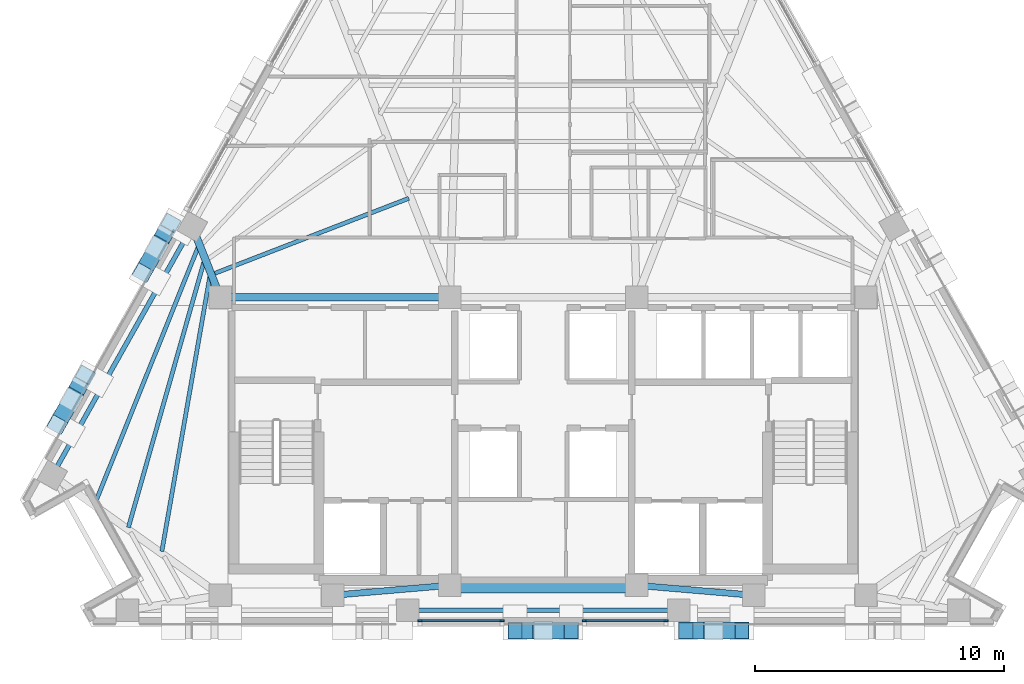
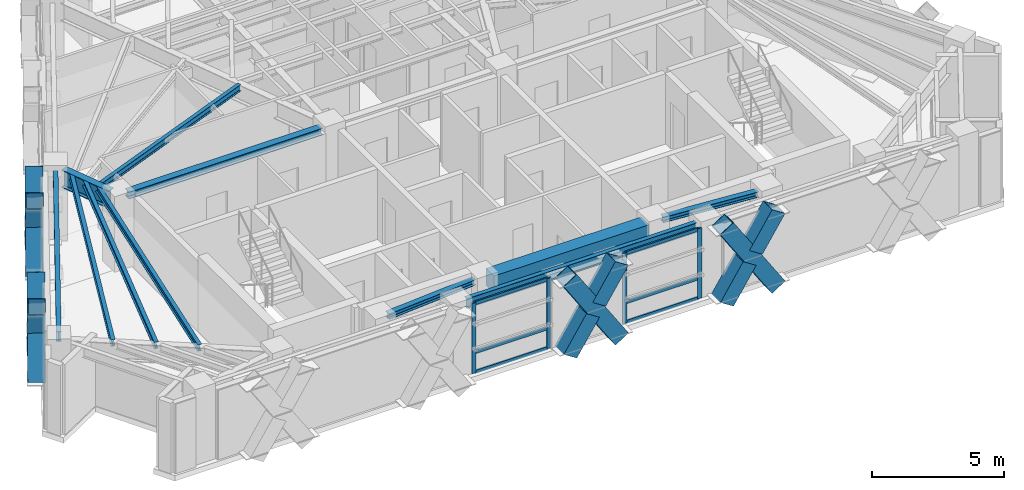
# One storey, part 2 of 15: 22 members, 11 beams, 2 elements without a shape of their own.
"""IFC4 building model written with IfcOpenShell, lengths in metres."""

from ifc_helpers import new_model, si_unit, direction, frame, origin, origin_2d, place, context, subcontext, project, spatial, rectangle, hollow_rectangle, i_section, extrude, material, material_profile, profile_set, type_object, element, aggregate, save


model = new_model("IFC4")

# Units and contexts
model_context = context("Model", 3, precision=1e-05, world=origin(), true_north=direction((0.0, 1.0)))
body_context = subcontext(model_context, "Body", "Model", "MODEL_VIEW")
ifc_project = project(units=[si_unit("LENGTHUNIT", "METRE"), si_unit("AREAUNIT", "SQUARE_METRE"), si_unit("VOLUMEUNIT", "CUBIC_METRE"), si_unit("PLANEANGLEUNIT", "RADIAN"), si_unit("MASSUNIT", "GRAM", prefix="KILO")], contexts=[model_context])

# Site, building, storey
site_placement = place(None, origin())
site = spatial("IfcSite", under=ifc_project, at=site_placement, CompositionType="ELEMENT")
building_placement = place(site_placement, origin())
building = spatial("IfcBuilding", under=site, at=building_placement, Name="Quenlor Broadcast Tower", CompositionType="ELEMENT")
storey_placement = place(building_placement, frame((0.0, 0.0, 183.39990234375)))
storey = spatial("IfcBuildingStorey", under=building, at=storey_placement, Name="L50", CompositionType="ELEMENT", Elevation=183.39990234375)

# Curtain wall, members
ifc_material_1 = material(Name="Architectural Terracotta and Low-E Glazing", Category="masonry")
curtain_wall_type = type_object("IfcCurtainWallType", Name="Unitised Terracotta Curtain Wall System Z4", PredefinedType="NOTDEFINED", material=ifc_material_1)
curtain_wall_1_placement = place(storey_placement, origin())
curtain_wall_1 = element("IfcCurtainWall", 1, at=curtain_wall_1_placement, inside=storey, type_object=curtain_wall_type, Name="L50 Curtain Wall CW4 (L50-S-G1)", PredefinedType="NOTDEFINED")
ifc_material_2 = material(Name="Aluminium 6063-T6", Category="aluminium")
ifc_material_profile_1 = material_profile(ifc_material_2, rectangle(XDim=0.068115234375, YDim=0.179931640625, at=origin_2d()))
ifc_profile_set_1 = profile_set([ifc_material_profile_1], Name="Aluminium 6063-T6 MULL68x180")
member_type_1 = type_object("IfcMemberType", Name="CW4 Aluminium Mullion MULL_CW4", PredefinedType="MULLION", material=ifc_profile_set_1)
member_1_placement = place(storey_placement, frame((4.933837890625, -17.77490234375, 0.0), z_axis=(0.0, 0.0, 1.0), x_axis=(0.0, -1.0, 0.0)))
member_1 = element("IfcMember", 2, at=member_1_placement, type_object=member_type_1, Name="CW4 mullion 1", PredefinedType="MULLION", context=body_context, shape_type="SweptSolid", body=[
    extrude(rectangle(XDim=0.068115234375, YDim=0.179931640625, at=origin_2d()), origin(), (0.0, 0.0, 1.0), 3.25),
])
member_2_placement = place(storey_placement, frame((1.655029296875, -17.77490234375, 0.0), z_axis=(0.0, 0.0, 1.0), x_axis=(0.0, -1.0, 0.0)))
member_2 = element("IfcMember", 3, at=member_2_placement, type_object=member_type_1, Name="CW4 mullion 2", PredefinedType="MULLION", context=body_context, shape_type="SweptSolid", body=[
    extrude(rectangle(XDim=0.068115234375, YDim=0.179931640625, at=origin_2d()), origin(), (0.0, 0.0, 1.0), 3.25),
])

curtain_wall_2_placement = place(storey_placement, origin())
curtain_wall_2 = element("IfcCurtainWall", 4, at=curtain_wall_2_placement, inside=storey, type_object=curtain_wall_type, Name="L50 Curtain Wall CW4 (L50-S-G2)", PredefinedType="NOTDEFINED")
member_3_placement = place(storey_placement, frame((-1.655029296875, -17.77490234375, 0.0), z_axis=(0.0, 0.0, 1.0), x_axis=(0.0, -1.0, 0.0)))
member_3 = element("IfcMember", 5, at=member_3_placement, type_object=member_type_1, Name="CW4 mullion 1", PredefinedType="MULLION", context=body_context, shape_type="SweptSolid", body=[
    extrude(rectangle(XDim=0.068115234375, YDim=0.179931640625, at=origin_2d()), origin(), (0.0, 0.0, 1.0), 3.25),
])
member_4_placement = place(storey_placement, frame((-4.933837890625, -17.77490234375, 0.0), z_axis=(0.0, 0.0, 1.0), x_axis=(0.0, -1.0, 0.0)))
member_4 = element("IfcMember", 6, at=member_4_placement, type_object=member_type_1, Name="CW4 mullion 2", PredefinedType="MULLION", context=body_context, shape_type="SweptSolid", body=[
    extrude(rectangle(XDim=0.068115234375, YDim=0.179931640625, at=origin_2d()), origin(), (0.0, 0.0, 1.0), 3.25),
])

# Member
ifc_material_3 = material(Name="Aluminium 6063-T6", Category="aluminium")
ifc_material_profile_2 = material_profile(ifc_material_3, rectangle(XDim=0.068115234375, YDim=0.14990234375, at=origin_2d()))
ifc_profile_set_2 = profile_set([ifc_material_profile_2], Name="Aluminium 6063-T6 TRAN68x150")
member_type_2 = type_object("IfcMemberType", Name="CW4 Aluminium Transom TRAN_CW4", PredefinedType="USERDEFINED", material=ifc_profile_set_2)
member_5_placement = place(storey_placement, frame((4.89990234375, -17.77490234375, 0.0341796875), z_axis=(-1.0, 0.0, 0.0), x_axis=(0.0, -1.0, 0.0)))
member_5 = element("IfcMember", 7, at=member_5_placement, type_object=member_type_2, Name="CW4 transom 1.1", ObjectType="TRANSOM", PredefinedType="USERDEFINED", context=body_context, shape_type="SweptSolid", body=[
    extrude(rectangle(XDim=0.068115234375, YDim=0.14990234375, at=origin_2d()), origin(), (0.0, 0.0, 1.0), 3.210693359375),
])

member_6_placement = place(storey_placement, frame((4.89990234375, -17.77490234375, 0.9501953125), z_axis=(-1.0, 0.0, 0.0), x_axis=(0.0, -1.0, 0.0)))
member_6 = element("IfcMember", 8, at=member_6_placement, type_object=member_type_2, Name="CW4 transom 1.2", ObjectType="TRANSOM", PredefinedType="USERDEFINED", context=body_context, shape_type="SweptSolid", body=[
    extrude(rectangle(XDim=0.068115234375, YDim=0.14990234375, at=origin_2d()), origin(), (0.0, 0.0, 1.0), 3.210693359375),
])

member_7_placement = place(storey_placement, frame((4.89990234375, -17.77490234375, 3.216064453125), z_axis=(-1.0, 0.0, 0.0), x_axis=(0.0, -1.0, 0.0)))
member_7 = element("IfcMember", 9, at=member_7_placement, type_object=member_type_2, Name="CW4 transom 1.3", ObjectType="TRANSOM", PredefinedType="USERDEFINED", context=body_context, shape_type="SweptSolid", body=[
    extrude(rectangle(XDim=0.068115234375, YDim=0.14990234375, at=origin_2d()), origin(), (0.0, 0.0, 1.0), 3.210693359375),
])

aggregate(curtain_wall_1, [member_1, member_2, member_5, member_6, member_7])

member_8_placement = place(storey_placement, frame((-1.689208984375, -17.77490234375, 0.0341796875), z_axis=(-1.0, 0.0, 0.0), x_axis=(0.0, -1.0, 0.0)))
member_8 = element("IfcMember", 10, at=member_8_placement, type_object=member_type_2, Name="CW4 transom 1.1", ObjectType="TRANSOM", PredefinedType="USERDEFINED", context=body_context, shape_type="SweptSolid", body=[
    extrude(rectangle(XDim=0.068115234375, YDim=0.14990234375, at=origin_2d()), origin(), (0.0, 0.0, 1.0), 3.210693359375),
])

member_9_placement = place(storey_placement, frame((-1.689208984375, -17.77490234375, 0.9501953125), z_axis=(-1.0, 0.0, 0.0), x_axis=(0.0, -1.0, 0.0)))
member_9 = element("IfcMember", 11, at=member_9_placement, type_object=member_type_2, Name="CW4 transom 1.2", ObjectType="TRANSOM", PredefinedType="USERDEFINED", context=body_context, shape_type="SweptSolid", body=[
    extrude(rectangle(XDim=0.068115234375, YDim=0.14990234375, at=origin_2d()), origin(), (0.0, 0.0, 1.0), 3.210693359375),
])

member_10_placement = place(storey_placement, frame((-1.689208984375, -17.77490234375, 3.216064453125), z_axis=(-1.0, 0.0, 0.0), x_axis=(0.0, -1.0, 0.0)))
member_10 = element("IfcMember", 12, at=member_10_placement, type_object=member_type_2, Name="CW4 transom 1.3", ObjectType="TRANSOM", PredefinedType="USERDEFINED", context=body_context, shape_type="SweptSolid", body=[
    extrude(rectangle(XDim=0.068115234375, YDim=0.14990234375, at=origin_2d()), origin(), (0.0, 0.0, 1.0), 3.210693359375),
])

aggregate(curtain_wall_2, [member_3, member_4, member_8, member_9, member_10])

# Beams
ifc_material_4 = material(Name="Concrete C50/60", Category="concrete")
ifc_material_profile_3 = material_profile(ifc_material_4, rectangle(XDim=0.60009765625, YDim=0.800048828125, at=origin_2d()))
ifc_profile_set_3 = profile_set([ifc_material_profile_3], Name="Concrete C50/60 RCB600x800")
beam_type_1 = type_object("IfcBeamType", Name="Core Coupling Beam Concrete C50/60 600x800", PredefinedType="BEAM", material=ifc_profile_set_3)
beam_1_placement = place(storey_placement, frame((-3.389892578125, -16.35009765625, 2.85009765625), z_axis=(1.0, 0.0, 0.0), x_axis=(0.0, 1.0, 0.0)))
element("IfcBeam", 13, at=beam_1_placement, inside=storey, type_object=beam_type_1, Name="L50 Core Coupling Beam 6", PredefinedType="BEAM", context=body_context, shape_type="SweptSolid", body=[
    extrude(rectangle(XDim=0.60009765625, YDim=0.800048828125, at=origin_2d()), origin(), (0.0, 0.0, 1.0), 6.77978515625),
])
ifc_material_5 = material(Name="Steel S355", Category="steel")
ifc_material_profile_4 = material_profile(ifc_material_5, i_section(OverallWidth=0.25390625, OverallDepth=0.25390625, WebThickness=0.008544921875, FlangeThickness=0.01416015625, FilletRadius=0.013916015625, at=origin_2d()))
ifc_profile_set_4 = profile_set([ifc_material_profile_4], Name="Steel S355 250UC72.9")
beam_type_2 = type_object("IfcBeamType", Name="Core Opening Lintel Beam Steel S355 250UC72.9", PredefinedType="LINTEL", material=ifc_profile_set_4)
for number, where, z_axis, x_axis, name in (
    (14, (-8.09130859375, -16.719482421875, 3.123291015625), (0.996399763903, 0.084779186679, 0.0), (-0.084779186679, 0.996399763903, 0.0), "L50 Core Opening Lintel Beam 4"),
    (15, (4.108642578125, -16.380615234375, 3.123291015625), (0.996399763903, -0.084779186679, 0.0), (0.084779186679, 0.996399763903, 0.0), "L50 Core Opening Lintel Beam 5"),
):
    element("IfcBeam", number, at=place(storey_placement, frame(where, z_axis=z_axis, x_axis=x_axis)), inside=storey, type_object=beam_type_2, Name=name, PredefinedType="LINTEL", context=body_context, shape_type="SweptSolid", body=[
        extrude(i_section(OverallWidth=0.25390625, OverallDepth=0.25390625, WebThickness=0.008544921875, FlangeThickness=0.01416015625, FilletRadius=0.013916015625, at=origin_2d()), origin(), (0.0, 0.0, 1.0), 3.9970703125),
    ])
ifc_material_6 = material(Name="Steel S355", Category="steel")
ifc_material_profile_5 = material_profile(ifc_material_6, i_section(OverallWidth=0.306884765625, OverallDepth=0.314697265625, WebThickness=0.011962890625, FlangeThickness=0.018798828125, FilletRadius=0.0166015625, at=origin_2d()))
ifc_profile_set_5 = profile_set([ifc_material_profile_5], Name="Steel S355 310UC118")
beam_type_3 = type_object("IfcBeamType", Name="Core Tie Beam Steel S355 310UC118", PredefinedType="BEAM", material=ifc_profile_set_5)
beam_2_placement = place(storey_placement, frame((-12.590087890625, -4.800048828125, 3.0927734375), z_axis=(1.0, 0.0, 0.0), x_axis=(0.0, 1.0, 0.0)))
element("IfcBeam", 16, at=beam_2_placement, inside=storey, type_object=beam_type_3, Name="L50 Core Tie Beam 1", PredefinedType="BEAM", context=body_context, shape_type="SweptSolid", body=[
    extrude(i_section(OverallWidth=0.306884765625, OverallDepth=0.314697265625, WebThickness=0.011962890625, FlangeThickness=0.018798828125, FilletRadius=0.0166015625, at=origin_2d()), origin(), (0.0, 0.0, 1.0), 8.47998046875),
])

# Members
ifc_material_7 = material(Name="Steel S355", Category="steel")
ifc_material_profile_6 = material_profile(ifc_material_7, hollow_rectangle(XDim=0.679931640625, YDim=0.679931640625, WallThickness=0.02490234375, at=origin_2d()))
ifc_profile_set_6 = profile_set([ifc_material_profile_6], Name="Steel S355 RHS680x680x25")
member_type_3 = type_object("IfcMemberType", Name="Perimeter Diagonal Lattice Brace Z3-Z4 Steel S355 RHS680x25", PredefinedType="BRACE", material=ifc_profile_set_6)
member_11_placement = place(storey_placement, frame((7.978515625, -18.169921875, -0.119873046875), z_axis=(-0.541794306908, 0.0, 0.840511111766), x_axis=(0.0, -1.0, 0.0)))
element("IfcMember", 17, at=member_11_placement, inside=storey, type_object=member_type_3, Name="L50 Perimeter Diamond Lattice S-C2XA", PredefinedType="BRACE", context=body_context, shape_type="SweptSolid", body=[
    extrude(hollow_rectangle(XDim=0.679931640625, YDim=0.679931640625, WallThickness=0.02490234375, at=origin_2d()), origin(), (0.0, 0.0, 1.0), 4.1640625),
])
member_12_placement = place(storey_placement, frame((5.722412109375, -18.169921875, -0.119873046875), z_axis=(0.54184151587, 0.0, 0.840480678945), x_axis=(0.0, 1.0, 0.0)))
element("IfcMember", 18, at=member_12_placement, inside=storey, type_object=member_type_3, Name="L50 Perimeter Diamond Lattice S-C2XB1", PredefinedType="BRACE", context=body_context, shape_type="SweptSolid", body=[
    extrude(hollow_rectangle(XDim=0.679931640625, YDim=0.679931640625, WallThickness=0.02490234375, at=origin_2d()), origin(), (0.0, 0.0, 1.0), 1.83203125),
])
member_13_placement = place(storey_placement, frame((6.98583984375, -18.169921875, 1.840087890625), z_axis=(0.541780832962, 0.0, 0.840519796932), x_axis=(0.0, 1.0, 0.0)))
element("IfcMember", 19, at=member_13_placement, inside=storey, type_object=member_type_3, Name="L50 Perimeter Diamond Lattice S-C2XB2", PredefinedType="BRACE", context=body_context, shape_type="SweptSolid", body=[
    extrude(hollow_rectangle(XDim=0.679931640625, YDim=0.679931640625, WallThickness=0.02490234375, at=origin_2d()), origin(), (0.0, 0.0, 1.0), 1.832275390625),
])
member_14_placement = place(storey_placement, frame((1.1279296875, -18.169921875, -0.119873046875), z_axis=(-0.541752885669, 0.0, 0.840537810493), x_axis=(0.0, -1.0, 0.0)))
element("IfcMember", 20, at=member_14_placement, inside=storey, type_object=member_type_3, Name="L50 Perimeter Diamond Lattice S-C3XA", PredefinedType="BRACE", context=body_context, shape_type="SweptSolid", body=[
    extrude(hollow_rectangle(XDim=0.679931640625, YDim=0.679931640625, WallThickness=0.02490234375, at=origin_2d()), origin(), (0.0, 0.0, 1.0), 4.1640625),
])
member_15_placement = place(storey_placement, frame((-1.1279296875, -18.169921875, -0.119873046875), z_axis=(0.54174736867, 0.0, 0.840541366347), x_axis=(0.0, 1.0, 0.0)))
element("IfcMember", 21, at=member_15_placement, inside=storey, type_object=member_type_3, Name="L50 Perimeter Diamond Lattice S-C3XB1", PredefinedType="BRACE", context=body_context, shape_type="SweptSolid", body=[
    extrude(hollow_rectangle(XDim=0.679931640625, YDim=0.679931640625, WallThickness=0.02490234375, at=origin_2d()), origin(), (0.0, 0.0, 1.0), 1.831787109375),
])
member_16_placement = place(storey_placement, frame((0.135498046875, -18.169921875, 1.840087890625), z_axis=(0.541686687545, 0.0, 0.840580473563), x_axis=(0.0, 1.0, 0.0)))
element("IfcMember", 22, at=member_16_placement, inside=storey, type_object=member_type_3, Name="L50 Perimeter Diamond Lattice S-C3XB2", PredefinedType="BRACE", context=body_context, shape_type="SweptSolid", body=[
    extrude(hollow_rectangle(XDim=0.679931640625, YDim=0.679931640625, WallThickness=0.02490234375, at=origin_2d()), origin(), (0.0, 0.0, 1.0), 1.83203125),
])
member_17_placement = place(storey_placement, frame((-19.49609375, -9.912841796875, -0.119873046875), z_axis=(0.269547055694, 0.479136497832, 0.835327840559), x_axis=(-0.871550060774, 0.49030652817, 0.0)))
element("IfcMember", 23, at=member_17_placement, inside=storey, type_object=member_type_3, Name="L50 Perimeter Diamond Lattice NW-C1XA", PredefinedType="BRACE", context=body_context, shape_type="SweptSolid", body=[
    extrude(hollow_rectangle(XDim=0.679931640625, YDim=0.679931640625, WallThickness=0.02490234375, at=origin_2d()), origin(), (0.0, 0.0, 1.0), 4.18994140625),
])
for number, where, z_axis, x_axis, name in (
    (24, (-18.36669921875, -7.9052734375, -0.119873046875), (-0.269535527865, -0.479130165145, 0.835335192642), (0.871556252289, -0.490295522207, 0.0), "L50 Perimeter Diamond Lattice NW-C1XB1"),
    (25, (-18.998779296875, -9.02880859375, 1.8388671875), (-0.269535527865, -0.479130165145, 0.835335192642), (0.871556252289, -0.490295522207, 0.0), "L50 Perimeter Diamond Lattice NW-C1XB2"),
):
    element("IfcMember", number, at=place(storey_placement, frame(where, z_axis=z_axis, x_axis=x_axis)), inside=storey, type_object=member_type_3, Name=name, PredefinedType="BRACE", context=body_context, shape_type="SweptSolid", body=[
        extrude(hollow_rectangle(XDim=0.679931640625, YDim=0.679931640625, WallThickness=0.02490234375, at=origin_2d()), origin(), (0.0, 0.0, 1.0), 1.844970703125),
    ])
member_18_placement = place(storey_placement, frame((-16.06689453125, -3.816650390625, -0.119873046875), z_axis=(0.269547055694, 0.479136497832, 0.835327840559), x_axis=(-0.871550060774, 0.49030652817, 0.0)))
element("IfcMember", 26, at=member_18_placement, inside=storey, type_object=member_type_3, Name="L50 Perimeter Diamond Lattice NW-C2XA", PredefinedType="BRACE", context=body_context, shape_type="SweptSolid", body=[
    extrude(hollow_rectangle(XDim=0.679931640625, YDim=0.679931640625, WallThickness=0.02490234375, at=origin_2d()), origin(), (0.0, 0.0, 1.0), 4.18994140625),
])
for number, where, z_axis, x_axis, name in (
    (27, (-14.9375, -1.80908203125, -0.119873046875), (-0.269535527865, -0.479130165145, 0.835335192642), (0.871556252289, -0.490295522207, 0.0), "L50 Perimeter Diamond Lattice NW-C2XB1"),
    (28, (-15.569580078125, -2.9326171875, 1.8388671875), (-0.269535527865, -0.479130165145, 0.835335192642), (0.871556252289, -0.490295522207, 0.0), "L50 Perimeter Diamond Lattice NW-C2XB2"),
):
    element("IfcMember", number, at=place(storey_placement, frame(where, z_axis=z_axis, x_axis=x_axis)), inside=storey, type_object=member_type_3, Name=name, PredefinedType="BRACE", context=body_context, shape_type="SweptSolid", body=[
        extrude(hollow_rectangle(XDim=0.679931640625, YDim=0.679931640625, WallThickness=0.02490234375, at=origin_2d()), origin(), (0.0, 0.0, 1.0), 1.844970703125),
    ])

# Beams
ifc_material_8 = material(Name="Steel S355", Category="steel")
ifc_material_profile_7 = material_profile(ifc_material_8, i_section(OverallWidth=0.18994140625, OverallDepth=0.453857421875, WebThickness=0.008544921875, FlangeThickness=0.0126953125, FilletRadius=0.011474609375, at=origin_2d()))
ifc_profile_set_7 = profile_set([ifc_material_profile_7], Name="Steel S355 460UB67.1")
beam_type_4 = type_object("IfcBeamType", Name="Perimeter Spandrel Beam Z4 Steel S355 460UB67.1", PredefinedType="SPANDREL", material=ifc_profile_set_7)
beam_3_placement = place(storey_placement, frame((-5.02783203125, -17.35009765625, 3.023193359375), z_axis=(1.0, 0.0, 0.0), x_axis=(0.0, 1.0, 0.0)))
element("IfcBeam", 29, at=beam_3_placement, inside=storey, type_object=beam_type_4, Name="L50 Spandrel Beam S2-S3", PredefinedType="SPANDREL", context=body_context, shape_type="SweptSolid", body=[
    extrude(i_section(OverallWidth=0.18994140625, OverallDepth=0.453857421875, WebThickness=0.008544921875, FlangeThickness=0.0126953125, FilletRadius=0.011474609375, at=origin_2d()), origin(), (0.0, 0.0, 1.0), 10.0556640625),
])
beam_4_placement = place(storey_placement, frame((-14.2783203125, -2.3095703125, 3.023193359375), z_axis=(-0.490272131974, -0.871569410093, 0.0), x_axis=(0.871569410093, -0.490272131974, 0.0)))
element("IfcBeam", 30, at=beam_4_placement, inside=storey, type_object=beam_type_4, Name="L50 Spandrel Beam NW3-NW4", PredefinedType="SPANDREL", context=body_context, shape_type="SweptSolid", body=[
    extrude(i_section(OverallWidth=0.18994140625, OverallDepth=0.453857421875, WebThickness=0.008544921875, FlangeThickness=0.0126953125, FilletRadius=0.011474609375, at=origin_2d()), origin(), (0.0, 0.0, 1.0), 10.6416015625),
])
ifc_material_9 = material(Name="Steel S355", Category="steel")
ifc_material_profile_8 = material_profile(ifc_material_9, i_section(OverallWidth=0.300048828125, OverallDepth=0.81591796875, WebThickness=0.013916015625, FlangeThickness=0.028076171875, FilletRadius=0.013916015625, at=origin_2d()))
ifc_profile_set_8 = profile_set([ifc_material_profile_8], Name="Steel S355 800WB192")
beam_type_5 = type_object("IfcBeamType", Name="Sky Lobby Primary Girder Steel S355 800WB192", PredefinedType="BEAM", material=ifc_profile_set_8)
beam_5_placement = place(storey_placement, frame((-13.926513671875, -2.33349609375, 2.842041015625), z_axis=(0.368110359783, -0.92978210513, 0.0), x_axis=(0.92978210513, 0.368110359783, 0.0)))
element("IfcBeam", 31, at=beam_5_placement, inside=storey, type_object=beam_type_5, Name="L50 Primary Radial Beam NW3", PredefinedType="BEAM", context=body_context, shape_type="SweptSolid", body=[
    extrude(i_section(OverallWidth=0.300048828125, OverallDepth=0.81591796875, WebThickness=0.013916015625, FlangeThickness=0.028076171875, FilletRadius=0.013916015625, at=origin_2d()), origin(), (0.0, 0.0, 1.0), 2.27294921875),
])
ifc_material_10 = material(Name="Steel S355", Category="steel")
ifc_material_profile_9 = material_profile(ifc_material_10, i_section(OverallWidth=0.166015625, OverallDepth=0.30712890625, WebThickness=0.006591796875, FlangeThickness=0.01171875, FilletRadius=0.011474609375, at=origin_2d()))
ifc_profile_set_9 = profile_set([ifc_material_profile_9], Name="Steel S355 310UB46.2")
beam_type_6 = type_object("IfcBeamType", Name="Tower Composite Joist Z4-Z5 Steel S355 310UB46.2", PredefinedType="JOIST", material=ifc_profile_set_9)
beam_6_placement = place(storey_placement, frame((-13.236083984375, -3.85986328125, 3.096435546875), z_axis=(0.932639299023, 0.360810113381, 0.0), x_axis=(-0.360810113381, 0.932639299023, 0.0)))
element("IfcBeam", 32, at=beam_6_placement, inside=storey, type_object=beam_type_6, Name="L50 Secondary Composite Joist 7", PredefinedType="JOIST", context=body_context, shape_type="SweptSolid", body=[
    extrude(i_section(OverallWidth=0.166015625, OverallDepth=0.30712890625, WebThickness=0.006591796875, FlangeThickness=0.01171875, FilletRadius=0.011474609375, at=origin_2d()), origin(), (0.0, 0.0, 1.0), 8.413330078125),
])
beam_7_placement = place(storey_placement, frame((-15.297607421875, -14.98828125, 3.096435546875), z_axis=(0.172003691938, 0.985096304916, 0.0), x_axis=(-0.985096304916, 0.172003691938, 0.0)))
element("IfcBeam", 33, at=beam_7_placement, inside=storey, type_object=beam_type_6, Name="L50 Secondary Composite Joist 13", PredefinedType="JOIST", context=body_context, shape_type="SweptSolid", body=[
    extrude(i_section(OverallWidth=0.166015625, OverallDepth=0.30712890625, WebThickness=0.006591796875, FlangeThickness=0.01171875, FilletRadius=0.011474609375, at=origin_2d()), origin(), (0.0, 0.0, 1.0), 11.274169921875),
])
beam_8_placement = place(storey_placement, frame((-16.638671875, -14.028564453125, 3.096435546875), z_axis=(0.273447576454, 0.961886907558, 0.0), x_axis=(-0.961886907558, 0.273447576454, 0.0)))
element("IfcBeam", 34, at=beam_8_placement, inside=storey, type_object=beam_type_6, Name="L50 Secondary Composite Joist 14", PredefinedType="JOIST", context=body_context, shape_type="SweptSolid", body=[
    extrude(i_section(OverallWidth=0.166015625, OverallDepth=0.30712890625, WebThickness=0.006591796875, FlangeThickness=0.01171875, FilletRadius=0.011474609375, at=origin_2d()), origin(), (0.0, 0.0, 1.0), 11.142333984375),
])
beam_9_placement = place(storey_placement, frame((-17.97998046875, -13.069580078125, 3.096435546875), z_axis=(0.373094895103, 0.927793187757, 0.0), x_axis=(-0.927793187757, 0.373094895103, 0.0)))
element("IfcBeam", 35, at=beam_9_placement, inside=storey, type_object=beam_type_6, Name="L50 Secondary Composite Joist 15", PredefinedType="JOIST", context=body_context, shape_type="SweptSolid", body=[
    extrude(i_section(OverallWidth=0.166015625, OverallDepth=0.30712890625, WebThickness=0.006591796875, FlangeThickness=0.01171875, FilletRadius=0.011474609375, at=origin_2d()), origin(), (0.0, 0.0, 1.0), 11.13525390625),
])

save(model, "model.ifc")
